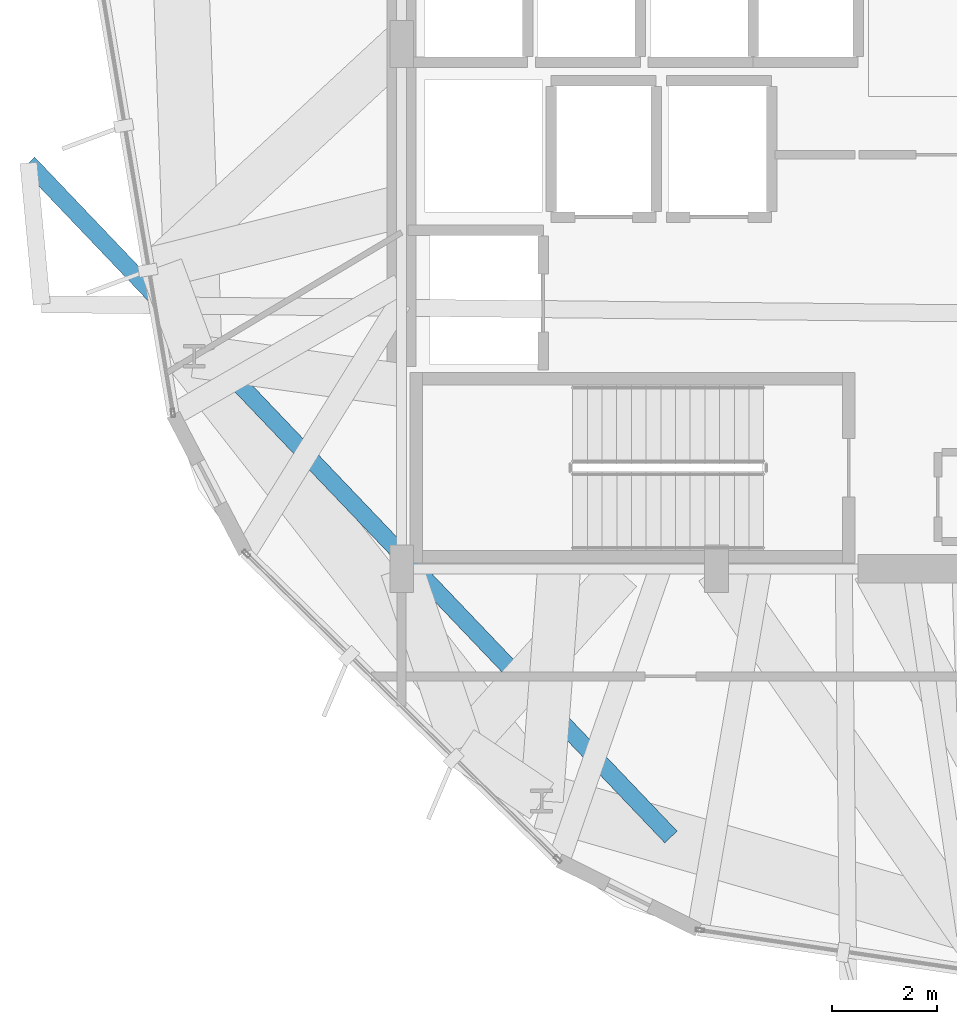
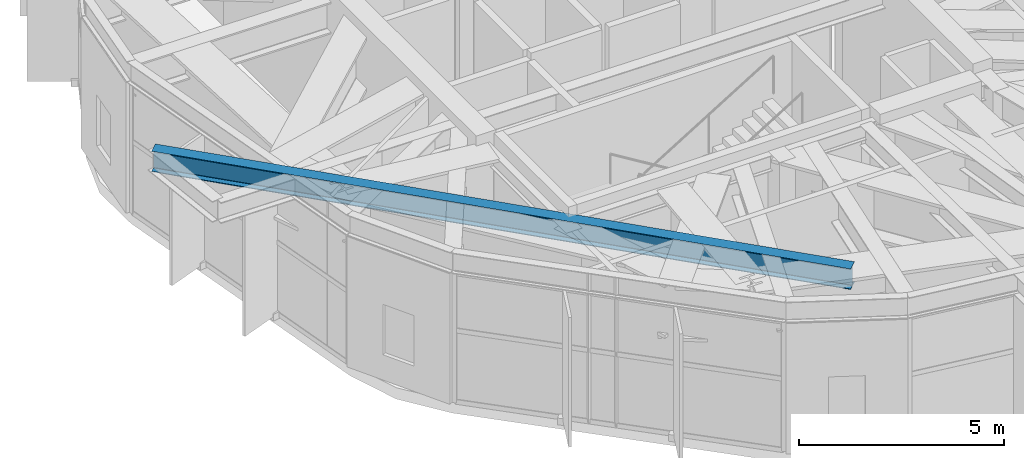
# One storey, part 4 of 27: 1 beam.
"""IFC4 building model written with IfcOpenShell, lengths in metres."""

from ifc_helpers import new_model, si_unit, direction, frame, origin, origin_2d, place, context, subcontext, project, spatial, i_section, extrude, material, material_profile, profile_set, type_object, element, save


model = new_model("IFC4")

# Units and contexts
model_context = context("Model", 3, precision=1e-05, world=origin(), true_north=direction((0.0, 1.0)))
body_context = subcontext(model_context, "Body", "Model", "MODEL_VIEW")
ifc_project = project(units=[si_unit("LENGTHUNIT", "METRE"), si_unit("AREAUNIT", "SQUARE_METRE"), si_unit("VOLUMEUNIT", "CUBIC_METRE"), si_unit("PLANEANGLEUNIT", "RADIAN"), si_unit("MASSUNIT", "GRAM", prefix="KILO")], contexts=[model_context])

# Site, building, storey
site_placement = place(None, origin())
site = spatial("IfcSite", under=ifc_project, at=site_placement, CompositionType="ELEMENT")
building_placement = place(site_placement, origin())
building = spatial("IfcBuilding", under=site, at=building_placement, Name="Soratama Intermodal Tower", CompositionType="ELEMENT")
storey_placement = place(building_placement, frame((0.0, 0.0, 134.199951171875)))
storey = spatial("IfcBuildingStorey", under=building, at=storey_placement, Name="L32", CompositionType="ELEMENT", Elevation=134.199951171875)

# Beam
ifc_material = material(Name="Structural steel ASTM A992 Grade 50", Category="steel")
ifc_material_profile = material_profile(ifc_material, i_section(OverallWidth=0.324951171875, OverallDepth=0.615966796875, WebThickness=0.013916015625, FlangeThickness=0.021484375, FilletRadius=0.013916015625, at=origin_2d()), Name="W24X117")
ifc_profile_set = profile_set([ifc_material_profile], Name="Structural steel ASTM A992 Grade 50")
beam_type = type_object("IfcBeamType", Name="BM-CANT-W24X117", PredefinedType="BEAM", material=ifc_profile_set)
beam_placement = place(storey_placement, frame((37.73291015625, 9.888916015625, 4.192138671875), z_axis=(-0.68999420706, 0.723814889473, 0.0), x_axis=(-0.723814889473, -0.68999420706, 0.0)))
element("IfcBeam", 1, at=beam_placement, inside=storey, type_object=beam_type, Name="BM-L32-CANT-3-1", PredefinedType="BEAM", context=body_context, shape_type="SweptSolid", body=[
    extrude(i_section(OverallWidth=0.324951171875, OverallDepth=0.615966796875, WebThickness=0.013916015625, FlangeThickness=0.021484375, FilletRadius=0.013916015625, at=origin_2d()), origin(), (0.0, 0.0, 1.0), 17.743408203125),
])

save(model, "model.ifc")
